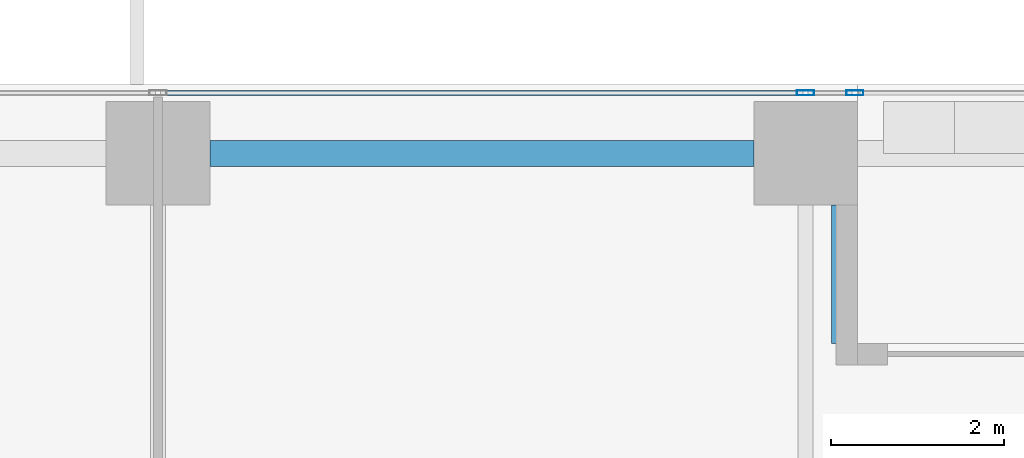
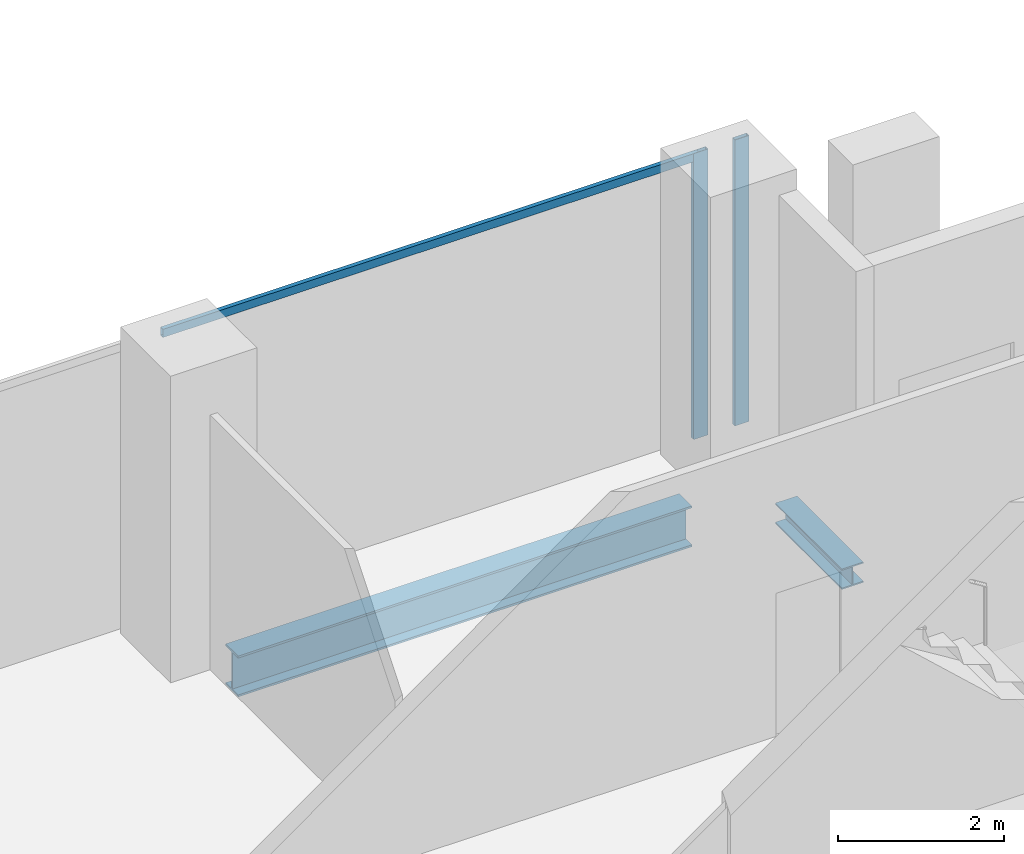
# One storey, part 16 of 33: 3 members, 2 beams, 1 element without a shape of its own.
"""IFC4 building model written with IfcOpenShell, lengths in metres."""

import ifcopenshell
import ifcopenshell.guid

model = None  # the IFC model being written
_history = None  # IfcOwnerHistory: only IFC2X3 demands one
_inside = {}  # id of a spatial element -> (the spatial element, [elements in it])
_under = {}  # id of a project, library or spatial element -> (it, [spatial elements below it])
_declared = {}  # id of a project -> (the project, [libraries it declares])
_typed = {}  # id of a type object -> (the type object, [elements of that type])
_made_of = {}  # id of a material, layer set ... -> (it, [elements and type objects made of it])


def new_model(schema):
    """Start an empty IFC model of exactly this schema.

    Asked for "IFC4X3", IfcOpenShell would pick the latest addendum, in which some entities
    have other attributes; the version numbers below select the first issue.
    IFC2X3 requires an IfcOwnerHistory on every rooted entity: one is made here for all.
    """
    global model, _history
    if schema == "IFC4X3":
        model = ifcopenshell.file(schema_version=(4, 3, 0, 0))
    else:
        model = ifcopenshell.file(schema=schema)
    _inside.clear()
    _under.clear()
    _declared.clear()
    _typed.clear()
    _made_of.clear()
    _history = None
    if model.schema == "IFC2X3":
        org = make("IfcOrganization", Name="unknown")
        user = make(
            "IfcPersonAndOrganization",
            ThePerson=make("IfcPerson", FamilyName="unknown"),
            TheOrganization=org,
        )
        app = make(
            "IfcApplication",
            ApplicationDeveloper=org,
            Version="unknown",
            ApplicationFullName="unknown",
            ApplicationIdentifier="unknown",
        )
        _history = make(
            "IfcOwnerHistory",
            OwningUser=user,
            OwningApplication=app,
            ChangeAction="ADDED",
            CreationDate=0,
        )
    return model


def make(cls, **values):
    """One entity of the class cls with the attributes given. An attribute that is None is left unset."""
    return model.create_entity(
        cls, **{name: value for name, value in values.items() if value is not None}
    )


def rooted(cls, **values):
    """An entity with a GlobalId (a new one), such as an element, a storey or a relation."""
    return make(cls, GlobalId=ifcopenshell.guid.new(), OwnerHistory=_history, **values)


def si_unit(unit_type, name, prefix=None):
    """IfcSIUnit, for example si_unit("LENGTHUNIT", "METRE", prefix="MILLI")."""
    return make("IfcSIUnit", UnitType=unit_type, Prefix=prefix, Name=name)


def assignment(units):
    """IfcUnitAssignment: the units of a project."""
    return None if units is None else make("IfcUnitAssignment", Units=units)


def point(xyz):
    """IfcCartesianPoint."""
    return None if xyz is None else make("IfcCartesianPoint", Coordinates=xyz)


def direction(xyz):
    """IfcDirection."""
    return None if xyz is None else make("IfcDirection", DirectionRatios=xyz)


def frame(location, z_axis=None, x_axis=None):
    """IfcAxis2Placement3D, a coordinate frame: its origin and axes. An axis left out is left unset."""
    return make(
        "IfcAxis2Placement3D",
        Location=point(location),
        Axis=direction(z_axis),
        RefDirection=direction(x_axis),
    )


def frame_2d(location, x_axis=None):
    """IfcAxis2Placement2D, a coordinate frame in the plane: its origin and x axis."""
    return make(
        "IfcAxis2Placement2D", Location=point(location), RefDirection=direction(x_axis)
    )


def origin():
    """The frame at (0, 0, 0) with its axes left unset."""
    return frame((0.0, 0.0, 0.0))


def origin_2d():
    """The frame at (0, 0) in the plane with its x axis left unset."""
    return frame_2d((0.0, 0.0))


def place(relative_to, where):
    """IfcLocalPlacement: puts the frame where relative to a parent placement (None: the world)."""
    return make(
        "IfcLocalPlacement", PlacementRelTo=relative_to, RelativePlacement=where
    )


def context(
    kind, dimensions, precision=None, world=None, true_north=None, identifier=None
):
    """IfcGeometricRepresentationContext, for example the 3D "Model" context."""
    return make(
        "IfcGeometricRepresentationContext",
        ContextIdentifier=identifier,
        ContextType=kind,
        CoordinateSpaceDimension=dimensions,
        Precision=precision,
        WorldCoordinateSystem=world,
        TrueNorth=true_north,
    )


def subcontext(parent, identifier, kind, view, scale=None):
    """IfcGeometricRepresentationSubContext, for example "Body" below "Model"."""
    return make(
        "IfcGeometricRepresentationSubContext",
        ContextIdentifier=identifier,
        ContextType=kind,
        ParentContext=parent,
        TargetScale=scale,
        TargetView=view,
    )


def project(units=None, contexts=None):
    """IfcProject with its units and contexts."""
    return rooted(
        "IfcProject",
        Name="project",
        RepresentationContexts=contexts,
        UnitsInContext=assignment(units),
    )


def spatial(cls, under=None, at=None, **own):
    """A site, building, storey or space (cls), placed at a placement, below another one or the project."""
    s = rooted(cls, ObjectPlacement=at, **own)
    if under is not None:
        _under.setdefault(under.id(), (under, []))[1].append(s)
    return s


def profile(cls, at=None, kind="AREA", **sizes):
    """A parametric profile (cls). Its sizes go by their IFC names, for example OverallWidth=200.0."""
    return make(cls, ProfileType=kind, Position=at, **sizes)


def hollow_rectangle(**sizes):
    """IfcRectangleHollowProfileDef."""
    return profile("IfcRectangleHollowProfileDef", **sizes)


def i_section(**sizes):
    """IfcIShapeProfileDef."""
    return profile("IfcIShapeProfileDef", **sizes)


def extrude(swept, where, along, depth):
    """IfcExtrudedAreaSolid: the profile swept, set in the frame where, extruded along a direction by depth."""
    return make(
        "IfcExtrudedAreaSolid",
        SweptArea=swept,
        Position=where,
        ExtrudedDirection=direction(along),
        Depth=depth,
    )


def shape(context_of_items, identifier, shape_type, items):
    """IfcShapeRepresentation: the items that make up one representation, for example the "Body"."""
    return make(
        "IfcShapeRepresentation",
        ContextOfItems=context_of_items,
        RepresentationIdentifier=identifier,
        RepresentationType=shape_type,
        Items=items,
    )


def source(mapping_origin, context_of_items, identifier, shape_type, items):
    """IfcRepresentationMap: a shape defined once, which mapped items show again and again."""
    return make(
        "IfcRepresentationMap",
        MappingOrigin=mapping_origin,
        MappedRepresentation=shape(context_of_items, identifier, shape_type, items),
    )


def transform(
    local_origin,
    x_axis=None,
    y_axis=None,
    z_axis=None,
    scale=None,
    scale2=None,
    scale3=None,
    uniform=True,
):
    """IfcCartesianTransformationOperator3D, or its non-uniform kind. x_axis, y_axis, z_axis: its Axis1, 2, 3."""
    if uniform:
        return make(
            "IfcCartesianTransformationOperator3D",
            Axis1=direction(x_axis),
            Axis2=direction(y_axis),
            LocalOrigin=point(local_origin),
            Scale=scale,
            Axis3=direction(z_axis),
        )
    return make(
        "IfcCartesianTransformationOperator3DnonUniform",
        Axis1=direction(x_axis),
        Axis2=direction(y_axis),
        LocalOrigin=point(local_origin),
        Scale=scale,
        Axis3=direction(z_axis),
        Scale2=scale2,
        Scale3=scale3,
    )


def mapped(mapping_source, mapping_target):
    """IfcMappedItem: shows the shape of a source again, moved by a transform."""
    return make(
        "IfcMappedItem", MappingSource=mapping_source, MappingTarget=mapping_target
    )


def material(Name=None, Category=None):
    """IfcMaterial."""
    return make("IfcMaterial", Name=Name, Category=Category)


def material_profile(
    of_material, cross_section, Name=None, Category=None, Priority=None
):
    """IfcMaterialProfile: a cross section and its material."""
    return make(
        "IfcMaterialProfile",
        Name=Name,
        Material=of_material,
        Profile=cross_section,
        Priority=Priority,
        Category=Category,
    )


def profile_set(profiles, Name=None, composite=None):
    """IfcMaterialProfileSet."""
    return make(
        "IfcMaterialProfileSet",
        Name=Name,
        MaterialProfiles=profiles,
        CompositeProfile=composite,
    )


def made_of(thing, what):
    """Note that an element or type object is made of a material, layer set ...; save() writes the relation."""
    if what is not None:
        _made_of.setdefault(what.id(), (what, []))[1].append(thing)
    return thing


def type_object(cls, material=None, **own):
    """A type object (cls), such as IfcWallType, which elements share."""
    return made_of(rooted(cls, **own), material)


def element(
    cls,
    number,
    at=None,
    inside=None,
    cuts=None,
    type_object=None,
    material=None,
    context=None,
    identifier="Body",
    shape_type=None,
    held_by="IfcProductDefinitionShape",
    body=None,
    shapes=None,
    **own,
):
    """One element of the class cls, such as IfcWall. Its Tag is "e" and its number.

    at: its placement. inside: the storey or other place that contains it. cuts: it is an
    opening in that element (IfcRelVoidsElement). A single representation is given by context,
    identifier, shape_type and body (its items); several are given by shapes. held_by: the class
    of the entity that holds the representations. save() writes the other relations.
    """
    e = rooted(cls, Tag="e%d" % number, ObjectPlacement=at, **own)
    if body is not None:
        shapes = [shape(context, identifier, shape_type, body)]
    if shapes is not None:
        e.Representation = make(held_by, Representations=shapes)
    if inside is not None:
        _inside.setdefault(inside.id(), (inside, []))[1].append(e)
    if cuts is not None:
        rooted(
            "IfcRelVoidsElement", RelatingBuildingElement=cuts, RelatedOpeningElement=e
        )
    if type_object is not None:
        _typed.setdefault(type_object.id(), (type_object, []))[1].append(e)
    return made_of(e, material)


def aggregate(whole, parts):
    """IfcRelAggregates: a whole, such as a stair, and the parts it consists of."""
    return rooted("IfcRelAggregates", RelatingObject=whole, RelatedObjects=parts)


def save(model, path):
    """Write the relations noted so far, then the file.

    IfcRelAggregates (storeys below a building ...), IfcRelContainedInSpatialStructure (elements
    in a storey), IfcRelDefinesByType, IfcRelAssociatesMaterial and IfcRelDeclares: one each for
    every whole, place, type object, material and project.
    """
    for whole, parts in _under.values():
        aggregate(whole, parts)
    for where, things in _inside.values():
        rooted(
            "IfcRelContainedInSpatialStructure",
            RelatedElements=things,
            RelatingStructure=where,
        )
    for kind, things in _typed.values():
        rooted("IfcRelDefinesByType", RelatedObjects=things, RelatingType=kind)
    for what, things in _made_of.values():
        rooted("IfcRelAssociatesMaterial", RelatedObjects=things, RelatingMaterial=what)
    for by, libraries in _declared.values():
        rooted("IfcRelDeclares", RelatingContext=by, RelatedDefinitions=libraries)
    model.write(path)


model = new_model("IFC4")

# Units and contexts
model_context = context("Model", 3, precision=1e-05, world=origin(), true_north=direction((0.0, 1.0)))
body_context = subcontext(model_context, "Body", "Model", "MODEL_VIEW")
ifc_project = project(units=[si_unit("LENGTHUNIT", "METRE"), si_unit("AREAUNIT", "SQUARE_METRE"), si_unit("VOLUMEUNIT", "CUBIC_METRE"), si_unit("PLANEANGLEUNIT", "RADIAN"), si_unit("MASSUNIT", "GRAM", prefix="KILO")], contexts=[model_context])

# Site, building, storey
site_placement = place(None, origin())
site = spatial("IfcSite", under=ifc_project, at=site_placement, CompositionType="ELEMENT")
building_placement = place(site_placement, origin())
building = spatial("IfcBuilding", under=site, at=building_placement, Name="Khomas Fold Tower", CompositionType="ELEMENT")
storey_placement = place(building_placement, frame((0.0, 0.0, 91.5)))
storey = spatial("IfcBuildingStorey", under=building, at=storey_placement, Name="L19", CompositionType="ELEMENT", Elevation=91.5)

# Beams
ifc_material_1 = material(Name="Steel S355", Category="steel")
ifc_material_profile_1 = material_profile(ifc_material_1, i_section(OverallWidth=0.300048828125, OverallDepth=0.60009765625, WebThickness=0.015380859375, FlangeThickness=0.030029296875, at=origin_2d()), Name="HE 600 B")
ifc_profile_set_1 = profile_set([ifc_material_profile_1], Name="Steel S355")
beam_type_1 = type_object("IfcBeamType", Name="HE 600 B spandrel SB1", PredefinedType="SPANDREL", material=ifc_profile_set_1)
shared_shape_1 = source(origin(), body_context, "Body", "SweptSolid", [
    extrude(i_section(OverallWidth=0.300048828125, OverallDepth=0.60009765625, WebThickness=0.015380859375, FlangeThickness=0.030029296875, at=origin_2d()), origin(), (0.0, 0.0, 1.0), 6.2998046875),
])
beam_1_placement = place(storey_placement, frame((20.10009765625, 53.199951171875, -0.60009765625), z_axis=(1.0, 0.0, 0.0), x_axis=(0.0, 1.0, 0.0)))
element("IfcBeam", 1, at=beam_1_placement, inside=storey, type_object=beam_type_1, Name="SB1", PredefinedType="SPANDREL", context=body_context, shape_type="MappedRepresentation", body=[
    mapped(shared_shape_1, transform((0.0, 0.0, 0.0))),
])
ifc_material_2 = material(Name="Steel S355", Category="steel")
ifc_material_profile_2 = material_profile(ifc_material_2, i_section(OverallWidth=0.300048828125, OverallDepth=0.300048828125, WebThickness=0.010986328125, FlangeThickness=0.01904296875, at=origin_2d()), Name="HE 300 B")
ifc_profile_set_2 = profile_set([ifc_material_profile_2], Name="Steel S355")
beam_type_2 = type_object("IfcBeamType", Name="HE 300 B beam BB1", PredefinedType="BEAM", material=ifc_profile_set_2)
shared_shape_2 = source(origin(), body_context, "Body", "SweptSolid", [
    extrude(i_section(OverallWidth=0.300048828125, OverallDepth=0.300048828125, WebThickness=0.010986328125, FlangeThickness=0.01904296875, at=origin_2d()), origin(), (0.0, 0.0, 1.0), 1.60009765625),
])
beam_2_placement = place(storey_placement, frame((27.449951171875, 51.0, -0.449951171875), z_axis=(0.0, 1.0, 0.0), x_axis=(-1.0, 0.0, 0.0)))
element("IfcBeam", 2, at=beam_2_placement, inside=storey, type_object=beam_type_2, Name="BB1", PredefinedType="BEAM", context=body_context, shape_type="MappedRepresentation", body=[
    mapped(shared_shape_2, transform((0.0, 0.0, 0.0))),
])

# Curtain wall, members
ifc_material_3 = material(Name="Aluminium framed double glazing", Category="aluminium")
curtain_wall_type = type_object("IfcCurtainWallType", Name="SK-Unitised clear-glass wall, growing floors CW1", PredefinedType="NOTDEFINED", material=ifc_material_3)
curtain_wall_placement = place(storey_placement, origin())
curtain_wall = element("IfcCurtainWall", 3, at=curtain_wall_placement, inside=storey, type_object=curtain_wall_type, Name="CW1 run L19 06-1", PredefinedType="NOTDEFINED")
ifc_material_4 = material(Name="Aluminium", Category="aluminium")
ifc_material_profile_3 = material_profile(ifc_material_4, hollow_rectangle(XDim=0.06005859375, YDim=0.1201171875, WallThickness=0.00390625, at=origin_2d()), Name="SK-Unitised clear-glass wall, growing floors transom CW1-T")
ifc_profile_set_3 = profile_set([ifc_material_profile_3], Name="Aluminium")
member_type_1 = type_object("IfcMemberType", Name="SK-Unitised clear-glass wall, growing floors transom CW1-T", PredefinedType="USERDEFINED", material=ifc_profile_set_3)
shared_shape_3 = source(origin(), body_context, "Body", "SweptSolid", [
    extrude(hollow_rectangle(XDim=0.06005859375, YDim=0.1201171875, WallThickness=0.00390625, at=origin_2d()), origin(), (0.0, 0.0, 1.0), 7.43994140625),
])
member_1_placement = place(storey_placement, frame((26.969970703125, 53.89990234375, 4.139892578125), z_axis=(-1.0, 0.0, 0.0), x_axis=(0.0, -1.0, 0.0)))
member_1 = element("IfcMember", 4, at=member_1_placement, type_object=member_type_1, Name="CW1 transom 2", ObjectType="TRANSOM", PredefinedType="USERDEFINED", context=body_context, shape_type="MappedRepresentation", body=[
    mapped(shared_shape_3, transform((0.0, 0.0, 0.0))),
])
ifc_material_5 = material(Name="Aluminium", Category="aluminium")
ifc_material_profile_4 = material_profile(ifc_material_5, hollow_rectangle(XDim=0.06005859375, YDim=0.199951171875, WallThickness=0.00390625, at=origin_2d()), Name="SK-Unitised clear-glass wall, growing floors mullion CW1-M")
ifc_profile_set_4 = profile_set([ifc_material_profile_4], Name="Aluminium")
member_type_2 = type_object("IfcMemberType", Name="SK-Unitised clear-glass wall, growing floors mullion CW1-M", PredefinedType="MULLION", material=ifc_profile_set_4)
shared_shape_4 = source(origin(), body_context, "Body", "SweptSolid", [
    extrude(hollow_rectangle(XDim=0.06005859375, YDim=0.199951171875, WallThickness=0.00390625, at=origin_2d()), origin(), (0.0, 0.0, 1.0), 4.199951171875),
])
member_2_placement = place(storey_placement, frame((27.570068359375, 53.89990234375, 0.0), z_axis=(0.0, 0.0, 1.0), x_axis=(0.0, -1.0, 0.0)))
member_2 = element("IfcMember", 5, at=member_2_placement, type_object=member_type_2, Name="CW1 mullion 1", PredefinedType="MULLION", context=body_context, shape_type="MappedRepresentation", body=[
    mapped(shared_shape_4, transform((0.0, 0.0, 0.0))),
])
member_3_placement = place(storey_placement, frame((27.0, 53.89990234375, 0.0), z_axis=(0.0, 0.0, 1.0), x_axis=(0.0, -1.0, 0.0)))
member_3 = element("IfcMember", 6, at=member_3_placement, type_object=member_type_2, Name="CW1 mullion 2", PredefinedType="MULLION", context=body_context, shape_type="MappedRepresentation", body=[
    mapped(shared_shape_4, transform((0.0, 0.0, 0.0))),
])
aggregate(curtain_wall, [member_2, member_3, member_1])

save(model, "model.ifc")
